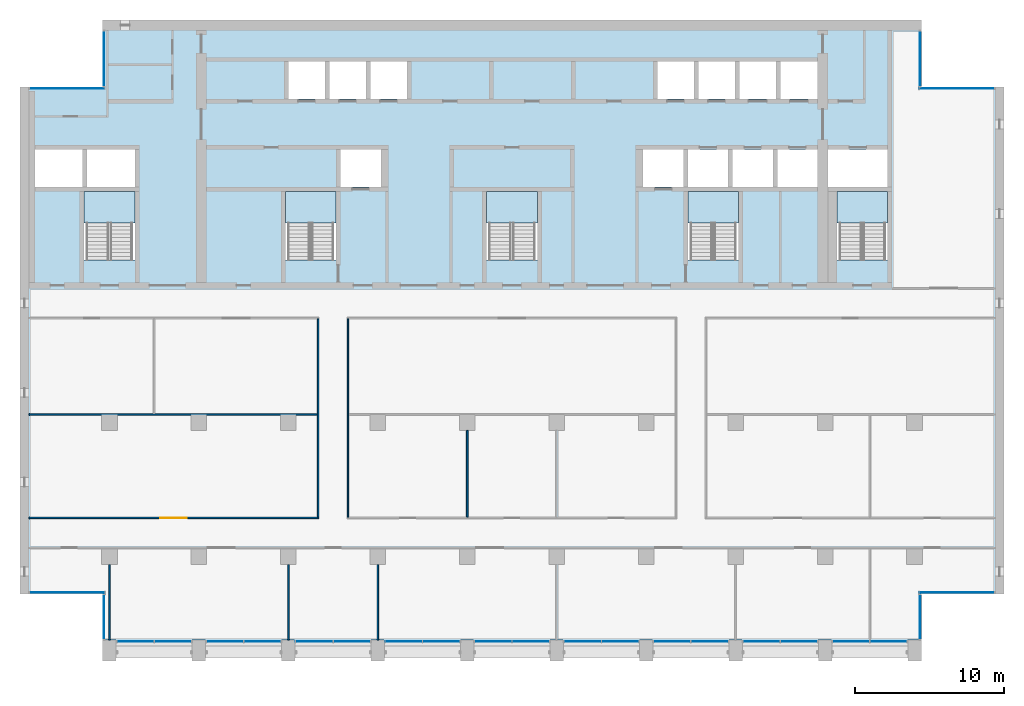
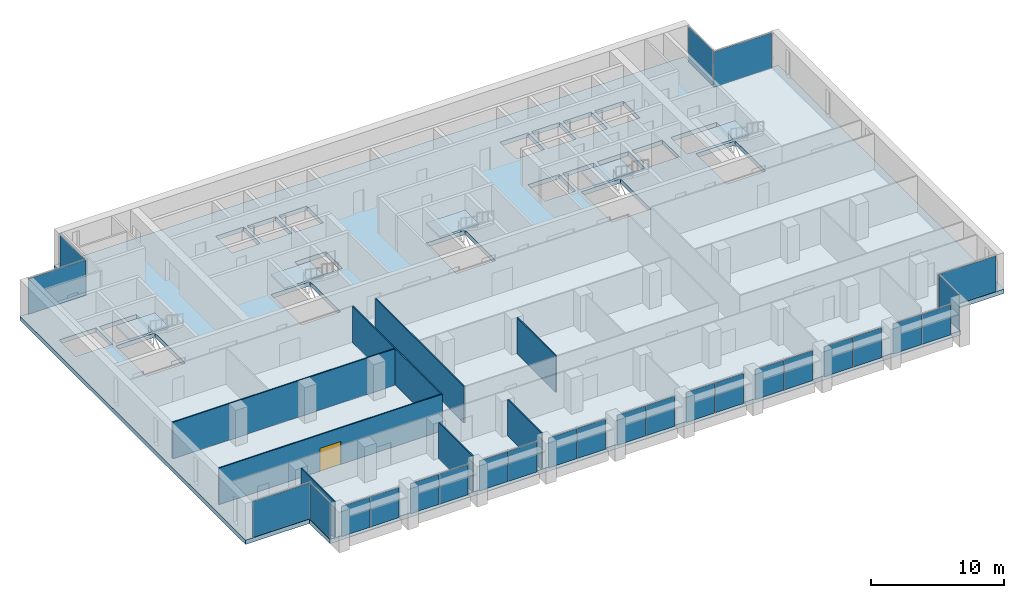
# One storey, part 7 of 17: 26 plates, 8 walls, 6 slabs, 1 door, 1 opening, 22 elements without a shape of their own.
"""IFC4 building model written with IfcOpenShell, lengths in metres."""

from ifc_helpers import new_model, si_unit, direction, frame, frame_2d, origin, origin_2d, place, context, subcontext, project, spatial, polyline, rectangle, outline, extrude, material, layer, layer_set, type_object, element, fill, aggregate, save


model = new_model("IFC4")

# Units and contexts
model_context = context("Model", 3, precision=1e-05, world=origin(), true_north=direction((0.0, 1.0)))
body_context = subcontext(model_context, "Body", "Model", "MODEL_VIEW")
ifc_project = project(units=[si_unit("LENGTHUNIT", "METRE"), si_unit("AREAUNIT", "SQUARE_METRE"), si_unit("VOLUMEUNIT", "CUBIC_METRE"), si_unit("PLANEANGLEUNIT", "RADIAN"), si_unit("MASSUNIT", "GRAM", prefix="KILO")], contexts=[model_context])

# Site, building, storey
site_placement = place(None, origin())
site = spatial("IfcSite", under=ifc_project, at=site_placement, CompositionType="ELEMENT")
building_placement = place(site_placement, origin())
building = spatial("IfcBuilding", under=site, at=building_placement, Name="Calvaro Tower", CompositionType="ELEMENT")
storey_placement = place(building_placement, frame((0.0, 0.0, 200.5)))
storey = spatial("IfcBuildingStorey", under=building, at=storey_placement, Name="L50", CompositionType="ELEMENT", Elevation=200.5)

# Slab
ifc_material_1 = material(Name="Concrete C40/50", Category="concrete")
ifc_layer_1 = layer(ifc_material_1, 0.39990234375)
ifc_layer_set_1 = layer_set([ifc_layer_1], Name="Concrete C40/50")
slab_type_1 = type_object("IfcSlabType", Name="Floor slab 400 C40/50", PredefinedType="FLOOR", material=ifc_layer_set_1)
slab_1_placement = place(storey_placement, frame((0.0, 0.0, -0.39990234375)))
element("IfcSlab", 1, at=slab_1_placement, inside=storey, type_object=slab_type_1, Name="Floor slab", PredefinedType="FLOOR", context=body_context, shape_type="SweptSolid", body=[
    extrude(outline(polyline([(66.449951171875, 7.5), (66.449951171875, 4.39990234375), (11.550048828125, 4.39990234375), (11.550048828125, 7.5), (6.0, 7.5), (6.0, 41.5), (11.550048828125, 41.5), (11.550048828125, 46.0), (66.449951171875, 46.0), (66.449951171875, 41.5), (72.0, 41.5), (72.0, 7.5), (66.449951171875, 7.5)]), holes=[polyline([(10.300048828125, 29.909912109375), (10.300048828125, 34.5), (12.0, 34.5), (13.699951171875, 34.5), (13.699951171875, 29.909912109375), (12.0, 29.909912109375), (10.300048828125, 29.909912109375)]), polyline([(23.800048828125, 29.909912109375), (23.800048828125, 34.5), (25.5, 34.5), (27.199951171875, 34.5), (27.199951171875, 29.909912109375), (25.5, 29.909912109375), (23.800048828125, 29.909912109375)]), polyline([(37.300048828125, 29.909912109375), (37.300048828125, 34.5), (39.0, 34.5), (40.699951171875, 34.5), (40.699951171875, 29.909912109375), (39.0, 29.909912109375), (37.300048828125, 29.909912109375)]), polyline([(50.800048828125, 29.909912109375), (50.800048828125, 34.5), (52.5, 34.5), (54.199951171875, 34.5), (54.199951171875, 29.909912109375), (52.5, 29.909912109375), (50.800048828125, 29.909912109375)]), polyline([(60.800048828125, 29.909912109375), (60.800048828125, 34.5), (62.5, 34.5), (64.199951171875, 34.5), (64.199951171875, 29.909912109375), (62.5, 29.909912109375), (60.800048828125, 29.909912109375)]), polyline([(50.800048828125, 34.800048828125), (53.5, 34.800048828125), (53.5, 37.300048828125), (50.800048828125, 37.300048828125), (50.800048828125, 34.800048828125)]), polyline([(53.800048828125, 34.800048828125), (56.5, 34.800048828125), (56.5, 37.300048828125), (53.800048828125, 37.300048828125), (53.800048828125, 34.800048828125)]), polyline([(56.800048828125, 34.800048828125), (59.5, 34.800048828125), (59.5, 37.300048828125), (56.800048828125, 37.300048828125), (56.800048828125, 34.800048828125)]), polyline([(24.0, 40.699951171875), (26.449951171875, 40.699951171875), (26.449951171875, 43.199951171875), (24.0, 43.199951171875), (24.0, 40.699951171875)]), polyline([(26.75, 40.699951171875), (29.199951171875, 40.699951171875), (29.199951171875, 43.199951171875), (26.75, 43.199951171875), (26.75, 40.699951171875)]), polyline([(29.5, 40.699951171875), (31.949951171875, 40.699951171875), (31.949951171875, 43.199951171875), (29.5, 43.199951171875), (29.5, 40.699951171875)]), polyline([(48.75, 40.699951171875), (51.199951171875, 40.699951171875), (51.199951171875, 43.199951171875), (48.75, 43.199951171875), (48.75, 40.699951171875)]), polyline([(51.5, 40.699951171875), (53.949951171875, 40.699951171875), (53.949951171875, 43.199951171875), (51.5, 43.199951171875), (51.5, 40.699951171875)]), polyline([(54.25, 40.699951171875), (56.699951171875, 40.699951171875), (56.699951171875, 43.199951171875), (54.25, 43.199951171875), (54.25, 40.699951171875)]), polyline([(57.0, 40.699951171875), (59.5, 40.699951171875), (59.5, 43.199951171875), (57.0, 43.199951171875), (57.0, 40.699951171875)]), polyline([(7.0, 34.800048828125), (10.199951171875, 34.800048828125), (10.199951171875, 37.300048828125), (7.0, 37.300048828125), (7.0, 34.800048828125)]), polyline([(10.5, 34.800048828125), (13.699951171875, 34.800048828125), (13.699951171875, 37.300048828125), (10.5, 37.300048828125), (10.5, 34.800048828125)]), polyline([(60.199951171875, 34.800048828125), (64.199951171875, 34.800048828125), (64.199951171875, 37.300048828125), (60.199951171875, 37.300048828125), (60.199951171875, 34.800048828125)]), polyline([(27.5, 34.800048828125), (30.199951171875, 34.800048828125), (30.199951171875, 37.300048828125), (27.5, 37.300048828125), (27.5, 34.800048828125)]), polyline([(47.800048828125, 34.800048828125), (50.5, 34.800048828125), (50.5, 37.300048828125), (47.800048828125, 37.300048828125), (47.800048828125, 34.800048828125)])]), origin(), (0.0, 0.0, 1.0), 0.39990234375),
])

# Curtain wall, plates
ifc_material_2 = material(Name="Anodised aluminium", Category="aluminium")
curtain_wall_type = type_object("IfcCurtainWallType", Name="Office curtain wall, upper zone", PredefinedType="NOTDEFINED", material=ifc_material_2)
curtain_wall_1_placement = place(storey_placement, origin())
curtain_wall_1 = element("IfcCurtainWall", 2, at=curtain_wall_1_placement, inside=storey, type_object=curtain_wall_type, Name="CW3 south curtain wall", PredefinedType="NOTDEFINED")
ifc_material_3 = material(Name="Glass", Category="glass")
ifc_layer_2 = layer(ifc_material_3, 0.035888671875)
ifc_layer_set_2 = layer_set([ifc_layer_2], Name="Glass")
plate_type = type_object("IfcPlateType", Name="Glass panel S3 36", PredefinedType="CURTAIN_PANEL", material=ifc_layer_set_2)
plate_1_placement = place(storey_placement, frame((13.739990234375, 4.31005859375, 0.0), z_axis=(0.0, 0.0, 1.0), x_axis=(1.0, 0.0, 0.0)))
plate_1 = element("IfcPlate", 3, at=plate_1_placement, type_object=plate_type, Name="CW3 glass panel 1.1", PredefinedType="CURTAIN_PANEL", context=body_context, shape_type="SweptSolid", body=[
    extrude(rectangle(XDim=2.4599609375, YDim=0.035888671875, at=origin_2d()), origin(), (0.0, 0.0, 1.0), 2.75),
])
plate_2_placement = place(storey_placement, frame((16.260009765625, 4.31005859375, 0.0), z_axis=(0.0, 0.0, 1.0), x_axis=(1.0, 0.0, 0.0)))
plate_2 = element("IfcPlate", 4, at=plate_2_placement, type_object=plate_type, Name="CW3 glass panel 2.1", PredefinedType="CURTAIN_PANEL", context=body_context, shape_type="SweptSolid", body=[
    extrude(rectangle(XDim=2.4599609375, YDim=0.035888671875, at=origin_2d()), origin(), (0.0, 0.0, 1.0), 2.75),
])
aggregate(curtain_wall_1, [plate_1, plate_2])

curtain_wall_2_placement = place(storey_placement, origin())
curtain_wall_2 = element("IfcCurtainWall", 5, at=curtain_wall_2_placement, inside=storey, type_object=curtain_wall_type, Name="CW3 south curtain wall", PredefinedType="NOTDEFINED")
plate_3_placement = place(storey_placement, frame((19.739990234375, 4.31005859375, 0.0), z_axis=(0.0, 0.0, 1.0), x_axis=(1.0, 0.0, 0.0)))
plate_3 = element("IfcPlate", 6, at=plate_3_placement, type_object=plate_type, Name="CW3 glass panel 1.1", PredefinedType="CURTAIN_PANEL", context=body_context, shape_type="SweptSolid", body=[
    extrude(rectangle(XDim=2.4599609375, YDim=0.035888671875, at=origin_2d()), origin(), (0.0, 0.0, 1.0), 2.75),
])
plate_4_placement = place(storey_placement, frame((22.260009765625, 4.31005859375, 0.0), z_axis=(0.0, 0.0, 1.0), x_axis=(1.0, 0.0, 0.0)))
plate_4 = element("IfcPlate", 7, at=plate_4_placement, type_object=plate_type, Name="CW3 glass panel 2.1", PredefinedType="CURTAIN_PANEL", context=body_context, shape_type="SweptSolid", body=[
    extrude(rectangle(XDim=2.4599609375, YDim=0.035888671875, at=origin_2d()), origin(), (0.0, 0.0, 1.0), 2.75),
])
aggregate(curtain_wall_2, [plate_3, plate_4])

curtain_wall_3_placement = place(storey_placement, origin())
curtain_wall_3 = element("IfcCurtainWall", 8, at=curtain_wall_3_placement, inside=storey, type_object=curtain_wall_type, Name="CW3 south curtain wall", PredefinedType="NOTDEFINED")
plate_5_placement = place(storey_placement, frame((25.739990234375, 4.31005859375, 0.0), z_axis=(0.0, 0.0, 1.0), x_axis=(1.0, 0.0, 0.0)))
plate_5 = element("IfcPlate", 9, at=plate_5_placement, type_object=plate_type, Name="CW3 glass panel 1.1", PredefinedType="CURTAIN_PANEL", context=body_context, shape_type="SweptSolid", body=[
    extrude(rectangle(XDim=2.4599609375, YDim=0.035888671875, at=origin_2d()), origin(), (0.0, 0.0, 1.0), 2.75),
])
plate_6_placement = place(storey_placement, frame((28.260009765625, 4.31005859375, 0.0), z_axis=(0.0, 0.0, 1.0), x_axis=(1.0, 0.0, 0.0)))
plate_6 = element("IfcPlate", 10, at=plate_6_placement, type_object=plate_type, Name="CW3 glass panel 2.1", PredefinedType="CURTAIN_PANEL", context=body_context, shape_type="SweptSolid", body=[
    extrude(rectangle(XDim=2.4599609375, YDim=0.035888671875, at=origin_2d()), origin(), (0.0, 0.0, 1.0), 2.75),
])
aggregate(curtain_wall_3, [plate_5, plate_6])

curtain_wall_4_placement = place(storey_placement, origin())
curtain_wall_4 = element("IfcCurtainWall", 11, at=curtain_wall_4_placement, inside=storey, type_object=curtain_wall_type, Name="CW3 south curtain wall", PredefinedType="NOTDEFINED")
plate_7_placement = place(storey_placement, frame((31.739990234375, 4.31005859375, 0.0), z_axis=(0.0, 0.0, 1.0), x_axis=(1.0, 0.0, 0.0)))
plate_7 = element("IfcPlate", 12, at=plate_7_placement, type_object=plate_type, Name="CW3 glass panel 1.1", PredefinedType="CURTAIN_PANEL", context=body_context, shape_type="SweptSolid", body=[
    extrude(rectangle(XDim=2.4599609375, YDim=0.035888671875, at=origin_2d()), origin(), (0.0, 0.0, 1.0), 2.75),
])
plate_8_placement = place(storey_placement, frame((34.260009765625, 4.31005859375, 0.0), z_axis=(0.0, 0.0, 1.0), x_axis=(1.0, 0.0, 0.0)))
plate_8 = element("IfcPlate", 13, at=plate_8_placement, type_object=plate_type, Name="CW3 glass panel 2.1", PredefinedType="CURTAIN_PANEL", context=body_context, shape_type="SweptSolid", body=[
    extrude(rectangle(XDim=2.4599609375, YDim=0.035888671875, at=origin_2d()), origin(), (0.0, 0.0, 1.0), 2.75),
])
aggregate(curtain_wall_4, [plate_7, plate_8])

curtain_wall_5_placement = place(storey_placement, origin())
curtain_wall_5 = element("IfcCurtainWall", 14, at=curtain_wall_5_placement, inside=storey, type_object=curtain_wall_type, Name="CW3 south curtain wall", PredefinedType="NOTDEFINED")
plate_9_placement = place(storey_placement, frame((37.739990234375, 4.31005859375, 0.0), z_axis=(0.0, 0.0, 1.0), x_axis=(1.0, 0.0, 0.0)))
plate_9 = element("IfcPlate", 15, at=plate_9_placement, type_object=plate_type, Name="CW3 glass panel 1.1", PredefinedType="CURTAIN_PANEL", context=body_context, shape_type="SweptSolid", body=[
    extrude(rectangle(XDim=2.4599609375, YDim=0.035888671875, at=origin_2d()), origin(), (0.0, 0.0, 1.0), 2.75),
])
plate_10_placement = place(storey_placement, frame((40.260009765625, 4.31005859375, 0.0), z_axis=(0.0, 0.0, 1.0), x_axis=(1.0, 0.0, 0.0)))
plate_10 = element("IfcPlate", 16, at=plate_10_placement, type_object=plate_type, Name="CW3 glass panel 2.1", PredefinedType="CURTAIN_PANEL", context=body_context, shape_type="SweptSolid", body=[
    extrude(rectangle(XDim=2.4599609375, YDim=0.035888671875, at=origin_2d()), origin(), (0.0, 0.0, 1.0), 2.75),
])
aggregate(curtain_wall_5, [plate_9, plate_10])

curtain_wall_6_placement = place(storey_placement, origin())
curtain_wall_6 = element("IfcCurtainWall", 17, at=curtain_wall_6_placement, inside=storey, type_object=curtain_wall_type, Name="CW3 south curtain wall", PredefinedType="NOTDEFINED")
plate_11_placement = place(storey_placement, frame((43.739990234375, 4.31005859375, 0.0), z_axis=(0.0, 0.0, 1.0), x_axis=(1.0, 0.0, 0.0)))
plate_11 = element("IfcPlate", 18, at=plate_11_placement, type_object=plate_type, Name="CW3 glass panel 1.1", PredefinedType="CURTAIN_PANEL", context=body_context, shape_type="SweptSolid", body=[
    extrude(rectangle(XDim=2.4599609375, YDim=0.035888671875, at=origin_2d()), origin(), (0.0, 0.0, 1.0), 2.75),
])
plate_12_placement = place(storey_placement, frame((46.260009765625, 4.31005859375, 0.0), z_axis=(0.0, 0.0, 1.0), x_axis=(1.0, 0.0, 0.0)))
plate_12 = element("IfcPlate", 19, at=plate_12_placement, type_object=plate_type, Name="CW3 glass panel 2.1", PredefinedType="CURTAIN_PANEL", context=body_context, shape_type="SweptSolid", body=[
    extrude(rectangle(XDim=2.4599609375, YDim=0.035888671875, at=origin_2d()), origin(), (0.0, 0.0, 1.0), 2.75),
])
aggregate(curtain_wall_6, [plate_11, plate_12])

curtain_wall_7_placement = place(storey_placement, origin())
curtain_wall_7 = element("IfcCurtainWall", 20, at=curtain_wall_7_placement, inside=storey, type_object=curtain_wall_type, Name="CW3 south curtain wall", PredefinedType="NOTDEFINED")
plate_13_placement = place(storey_placement, frame((49.739990234375, 4.31005859375, 0.0), z_axis=(0.0, 0.0, 1.0), x_axis=(1.0, 0.0, 0.0)))
plate_13 = element("IfcPlate", 21, at=plate_13_placement, type_object=plate_type, Name="CW3 glass panel 1.1", PredefinedType="CURTAIN_PANEL", context=body_context, shape_type="SweptSolid", body=[
    extrude(rectangle(XDim=2.4599609375, YDim=0.035888671875, at=origin_2d()), origin(), (0.0, 0.0, 1.0), 2.75),
])
plate_14_placement = place(storey_placement, frame((52.260009765625, 4.31005859375, 0.0), z_axis=(0.0, 0.0, 1.0), x_axis=(1.0, 0.0, 0.0)))
plate_14 = element("IfcPlate", 22, at=plate_14_placement, type_object=plate_type, Name="CW3 glass panel 2.1", PredefinedType="CURTAIN_PANEL", context=body_context, shape_type="SweptSolid", body=[
    extrude(rectangle(XDim=2.4599609375, YDim=0.035888671875, at=origin_2d()), origin(), (0.0, 0.0, 1.0), 2.75),
])
aggregate(curtain_wall_7, [plate_13, plate_14])

curtain_wall_8_placement = place(storey_placement, origin())
curtain_wall_8 = element("IfcCurtainWall", 23, at=curtain_wall_8_placement, inside=storey, type_object=curtain_wall_type, Name="CW3 south curtain wall", PredefinedType="NOTDEFINED")
plate_15_placement = place(storey_placement, frame((55.739990234375, 4.31005859375, 0.0), z_axis=(0.0, 0.0, 1.0), x_axis=(1.0, 0.0, 0.0)))
plate_15 = element("IfcPlate", 24, at=plate_15_placement, type_object=plate_type, Name="CW3 glass panel 1.1", PredefinedType="CURTAIN_PANEL", context=body_context, shape_type="SweptSolid", body=[
    extrude(rectangle(XDim=2.4599609375, YDim=0.035888671875, at=origin_2d()), origin(), (0.0, 0.0, 1.0), 2.75),
])
plate_16_placement = place(storey_placement, frame((58.260009765625, 4.31005859375, 0.0), z_axis=(0.0, 0.0, 1.0), x_axis=(1.0, 0.0, 0.0)))
plate_16 = element("IfcPlate", 25, at=plate_16_placement, type_object=plate_type, Name="CW3 glass panel 2.1", PredefinedType="CURTAIN_PANEL", context=body_context, shape_type="SweptSolid", body=[
    extrude(rectangle(XDim=2.4599609375, YDim=0.035888671875, at=origin_2d()), origin(), (0.0, 0.0, 1.0), 2.75),
])
aggregate(curtain_wall_8, [plate_15, plate_16])

curtain_wall_9_placement = place(storey_placement, origin())
curtain_wall_9 = element("IfcCurtainWall", 26, at=curtain_wall_9_placement, inside=storey, type_object=curtain_wall_type, Name="CW3 south curtain wall", PredefinedType="NOTDEFINED")
plate_17_placement = place(storey_placement, frame((61.739990234375, 4.31005859375, 0.0), z_axis=(0.0, 0.0, 1.0), x_axis=(1.0, 0.0, 0.0)))
plate_17 = element("IfcPlate", 27, at=plate_17_placement, type_object=plate_type, Name="CW3 glass panel 1.1", PredefinedType="CURTAIN_PANEL", context=body_context, shape_type="SweptSolid", body=[
    extrude(rectangle(XDim=2.4599609375, YDim=0.035888671875, at=origin_2d()), origin(), (0.0, 0.0, 1.0), 2.75),
])
plate_18_placement = place(storey_placement, frame((64.260009765625, 4.31005859375, 0.0), z_axis=(0.0, 0.0, 1.0), x_axis=(1.0, 0.0, 0.0)))
plate_18 = element("IfcPlate", 28, at=plate_18_placement, type_object=plate_type, Name="CW3 glass panel 2.1", PredefinedType="CURTAIN_PANEL", context=body_context, shape_type="SweptSolid", body=[
    extrude(rectangle(XDim=2.4599609375, YDim=0.035888671875, at=origin_2d()), origin(), (0.0, 0.0, 1.0), 2.75),
])
aggregate(curtain_wall_9, [plate_17, plate_18])

# Curtain wall, plate
curtain_wall_10_placement = place(storey_placement, origin())
curtain_wall_10 = element("IfcCurtainWall", 29, at=curtain_wall_10_placement, inside=storey, type_object=curtain_wall_type, Name="CW3 corner curtain wall", PredefinedType="NOTDEFINED")
plate_19_placement = place(storey_placement, frame((11.639892578125, 5.949951171875, 0.0), z_axis=(0.0, 0.0, 1.0), x_axis=(0.0, 1.0, 0.0)))
plate_19 = element("IfcPlate", 30, at=plate_19_placement, type_object=plate_type, Name="CW3 glass panel 1.1", PredefinedType="CURTAIN_PANEL", context=body_context, shape_type="SweptSolid", body=[
    extrude(rectangle(XDim=2.97998046875, YDim=0.035888671875, at=origin_2d()), origin(), (0.0, 0.0, 1.0), 3.25),
])
aggregate(curtain_wall_10, [plate_19])

curtain_wall_11_placement = place(storey_placement, origin())
curtain_wall_11 = element("IfcCurtainWall", 31, at=curtain_wall_11_placement, inside=storey, type_object=curtain_wall_type, Name="CW3 corner curtain wall", PredefinedType="NOTDEFINED")
plate_20_placement = place(storey_placement, frame((9.1650390625, 7.590087890625, 0.0), z_axis=(0.0, 0.0, 1.0), x_axis=(1.0, 0.0, 0.0)))
plate_20 = element("IfcPlate", 32, at=plate_20_placement, type_object=plate_type, Name="CW3 glass panel 1.1", PredefinedType="CURTAIN_PANEL", context=body_context, shape_type="SweptSolid", body=[
    extrude(rectangle(XDim=5.010009765625, YDim=0.035888671875, at=origin_2d()), origin(), (0.0, 0.0, 1.0), 3.25),
])
aggregate(curtain_wall_11, [plate_20])

curtain_wall_12_placement = place(storey_placement, origin())
curtain_wall_12 = element("IfcCurtainWall", 33, at=curtain_wall_12_placement, inside=storey, type_object=curtain_wall_type, Name="CW3 corner curtain wall", PredefinedType="NOTDEFINED")
plate_21_placement = place(storey_placement, frame((11.639892578125, 43.39990234375, 0.0), z_axis=(0.0, 0.0, 1.0), x_axis=(0.0, 1.0, 0.0)))
plate_21 = element("IfcPlate", 34, at=plate_21_placement, type_object=plate_type, Name="CW3 glass panel 1.1", PredefinedType="CURTAIN_PANEL", context=body_context, shape_type="SweptSolid", body=[
    extrude(rectangle(XDim=3.679931640625, YDim=0.035888671875, at=origin_2d()), origin(), (0.0, 0.0, 1.0), 3.25),
])
aggregate(curtain_wall_12, [plate_21])

curtain_wall_13_placement = place(storey_placement, origin())
curtain_wall_13 = element("IfcCurtainWall", 35, at=curtain_wall_13_placement, inside=storey, type_object=curtain_wall_type, Name="CW3 corner curtain wall", PredefinedType="NOTDEFINED")
plate_22_placement = place(storey_placement, frame((9.1650390625, 41.409912109375, 0.0), z_axis=(0.0, 0.0, 1.0), x_axis=(1.0, 0.0, 0.0)))
plate_22 = element("IfcPlate", 36, at=plate_22_placement, type_object=plate_type, Name="CW3 glass panel 1.1", PredefinedType="CURTAIN_PANEL", context=body_context, shape_type="SweptSolid", body=[
    extrude(rectangle(XDim=5.010009765625, YDim=0.035888671875, at=origin_2d()), origin(), (0.0, 0.0, 1.0), 3.25),
])
aggregate(curtain_wall_13, [plate_22])

curtain_wall_14_placement = place(storey_placement, origin())
curtain_wall_14 = element("IfcCurtainWall", 37, at=curtain_wall_14_placement, inside=storey, type_object=curtain_wall_type, Name="CW3 corner curtain wall", PredefinedType="NOTDEFINED")
plate_23_placement = place(storey_placement, frame((66.360107421875, 5.949951171875, 0.0), z_axis=(0.0, 0.0, 1.0), x_axis=(0.0, 1.0, 0.0)))
plate_23 = element("IfcPlate", 38, at=plate_23_placement, type_object=plate_type, Name="CW3 glass panel 1.1", PredefinedType="CURTAIN_PANEL", context=body_context, shape_type="SweptSolid", body=[
    extrude(rectangle(XDim=2.97998046875, YDim=0.035888671875, at=origin_2d()), origin(), (0.0, 0.0, 1.0), 3.25),
])
aggregate(curtain_wall_14, [plate_23])

curtain_wall_15_placement = place(storey_placement, origin())
curtain_wall_15 = element("IfcCurtainWall", 39, at=curtain_wall_15_placement, inside=storey, type_object=curtain_wall_type, Name="CW3 corner curtain wall", PredefinedType="NOTDEFINED")
plate_24_placement = place(storey_placement, frame((68.8349609375, 7.590087890625, 0.0), z_axis=(0.0, 0.0, 1.0), x_axis=(1.0, 0.0, 0.0)))
plate_24 = element("IfcPlate", 40, at=plate_24_placement, type_object=plate_type, Name="CW3 glass panel 1.1", PredefinedType="CURTAIN_PANEL", context=body_context, shape_type="SweptSolid", body=[
    extrude(rectangle(XDim=5.010009765625, YDim=0.035888671875, at=origin_2d()), origin(), (0.0, 0.0, 1.0), 3.25),
])
aggregate(curtain_wall_15, [plate_24])

curtain_wall_16_placement = place(storey_placement, origin())
curtain_wall_16 = element("IfcCurtainWall", 41, at=curtain_wall_16_placement, inside=storey, type_object=curtain_wall_type, Name="CW3 corner curtain wall", PredefinedType="NOTDEFINED")
plate_25_placement = place(storey_placement, frame((66.360107421875, 43.39990234375, 0.0), z_axis=(0.0, 0.0, 1.0), x_axis=(0.0, 1.0, 0.0)))
plate_25 = element("IfcPlate", 42, at=plate_25_placement, type_object=plate_type, Name="CW3 glass panel 1.1", PredefinedType="CURTAIN_PANEL", context=body_context, shape_type="SweptSolid", body=[
    extrude(rectangle(XDim=3.679931640625, YDim=0.035888671875, at=origin_2d()), origin(), (0.0, 0.0, 1.0), 3.25),
])
aggregate(curtain_wall_16, [plate_25])

curtain_wall_17_placement = place(storey_placement, origin())
curtain_wall_17 = element("IfcCurtainWall", 43, at=curtain_wall_17_placement, inside=storey, type_object=curtain_wall_type, Name="CW3 corner curtain wall", PredefinedType="NOTDEFINED")
plate_26_placement = place(storey_placement, frame((68.8349609375, 41.409912109375, 0.0), z_axis=(0.0, 0.0, 1.0), x_axis=(1.0, 0.0, 0.0)))
plate_26 = element("IfcPlate", 44, at=plate_26_placement, type_object=plate_type, Name="CW3 glass panel 1.1", PredefinedType="CURTAIN_PANEL", context=body_context, shape_type="SweptSolid", body=[
    extrude(rectangle(XDim=5.010009765625, YDim=0.035888671875, at=origin_2d()), origin(), (0.0, 0.0, 1.0), 3.25),
])
aggregate(curtain_wall_17, [plate_26])

# Stair, slab
ifc_material_4 = material(Name="Concrete C40/50", Category="concrete")
stair_type = type_object("IfcStairType", Name="Exit stair 1400 2 flights", PredefinedType="HALF_TURN_STAIR", material=ifc_material_4)
stair_1_placement = place(storey_placement, origin())
stair_1 = element("IfcStair", 45, at=stair_1_placement, inside=storey, type_object=stair_type, Name="Exit stair S1", PredefinedType="HALF_TURN_STAIR")
ifc_material_5 = material(Name="Concrete C40/50", Category="concrete")
ifc_layer_3 = layer(ifc_material_5, 0.199951171875)
ifc_layer_set_3 = layer_set([ifc_layer_3], Name="Concrete C40/50")
slab_type_2 = type_object("IfcSlabType", Name="Stair landing", PredefinedType="LANDING", material=ifc_layer_set_3)
slab_2_placement = place(storey_placement, frame((0.0, 0.0, 1.675048828125)))
slab_2 = element("IfcSlab", 46, at=slab_2_placement, type_object=slab_type_2, Name="Exit stair 1, landing 1", PredefinedType="LANDING", context=body_context, shape_type="SweptSolid", body=[
    extrude(outline(polyline([(11.89990234375, 32.389892578125), (10.5, 32.389892578125), (10.5, 32.39990234375), (10.300048828125, 32.39990234375), (10.300048828125, 34.5), (10.5, 34.5), (11.89990234375, 34.5), (12.10009765625, 34.5), (13.5, 34.5), (13.699951171875, 34.5), (13.699951171875, 32.39990234375), (13.5, 32.39990234375), (13.5, 32.389892578125), (12.10009765625, 32.389892578125), (12.10009765625, 32.39990234375), (11.89990234375, 32.39990234375), (11.89990234375, 32.389892578125)])), origin(), (0.0, 0.0, 1.0), 0.199951171875),
])
aggregate(stair_1, [slab_2])

stair_2_placement = place(storey_placement, origin())
stair_2 = element("IfcStair", 47, at=stair_2_placement, inside=storey, type_object=stair_type, Name="Exit stair S2", PredefinedType="HALF_TURN_STAIR")
slab_3_placement = place(storey_placement, frame((0.0, 0.0, 1.675048828125)))
slab_3 = element("IfcSlab", 48, at=slab_3_placement, type_object=slab_type_2, Name="Exit stair 2, landing 1", PredefinedType="LANDING", context=body_context, shape_type="SweptSolid", body=[
    extrude(outline(polyline([(25.39990234375, 32.389892578125), (24.0, 32.389892578125), (24.0, 32.39990234375), (23.800048828125, 32.39990234375), (23.800048828125, 34.5), (24.0, 34.5), (25.39990234375, 34.5), (25.60009765625, 34.5), (27.0, 34.5), (27.199951171875, 34.5), (27.199951171875, 32.39990234375), (27.0, 32.39990234375), (27.0, 32.389892578125), (25.60009765625, 32.389892578125), (25.60009765625, 32.39990234375), (25.39990234375, 32.39990234375), (25.39990234375, 32.389892578125)])), origin(), (0.0, 0.0, 1.0), 0.199951171875),
])
aggregate(stair_2, [slab_3])

stair_3_placement = place(storey_placement, origin())
stair_3 = element("IfcStair", 49, at=stair_3_placement, inside=storey, type_object=stair_type, Name="Exit stair S3", PredefinedType="HALF_TURN_STAIR")
slab_4_placement = place(storey_placement, frame((0.0, 0.0, 1.675048828125)))
slab_4 = element("IfcSlab", 50, at=slab_4_placement, type_object=slab_type_2, Name="Exit stair 3, landing 1", PredefinedType="LANDING", context=body_context, shape_type="SweptSolid", body=[
    extrude(outline(polyline([(38.89990234375, 32.389892578125), (37.5, 32.389892578125), (37.5, 32.39990234375), (37.300048828125, 32.39990234375), (37.300048828125, 34.5), (37.5, 34.5), (38.89990234375, 34.5), (39.10009765625, 34.5), (40.5, 34.5), (40.699951171875, 34.5), (40.699951171875, 32.39990234375), (40.5, 32.39990234375), (40.5, 32.389892578125), (39.10009765625, 32.389892578125), (39.10009765625, 32.39990234375), (38.89990234375, 32.39990234375), (38.89990234375, 32.389892578125)])), origin(), (0.0, 0.0, 1.0), 0.199951171875),
])
aggregate(stair_3, [slab_4])

stair_4_placement = place(storey_placement, origin())
stair_4 = element("IfcStair", 51, at=stair_4_placement, inside=storey, type_object=stair_type, Name="Exit stair S4", PredefinedType="HALF_TURN_STAIR")
slab_5_placement = place(storey_placement, frame((0.0, 0.0, 1.675048828125)))
slab_5 = element("IfcSlab", 52, at=slab_5_placement, type_object=slab_type_2, Name="Exit stair 4, landing 1", PredefinedType="LANDING", context=body_context, shape_type="SweptSolid", body=[
    extrude(outline(polyline([(52.39990234375, 32.389892578125), (51.0, 32.389892578125), (51.0, 32.39990234375), (50.800048828125, 32.39990234375), (50.800048828125, 34.5), (51.0, 34.5), (52.39990234375, 34.5), (52.60009765625, 34.5), (54.0, 34.5), (54.199951171875, 34.5), (54.199951171875, 32.39990234375), (54.0, 32.39990234375), (54.0, 32.389892578125), (52.60009765625, 32.389892578125), (52.60009765625, 32.39990234375), (52.39990234375, 32.39990234375), (52.39990234375, 32.389892578125)])), origin(), (0.0, 0.0, 1.0), 0.199951171875),
])
aggregate(stair_4, [slab_5])

stair_5_placement = place(storey_placement, origin())
stair_5 = element("IfcStair", 53, at=stair_5_placement, inside=storey, type_object=stair_type, Name="Exit stair S5", PredefinedType="HALF_TURN_STAIR")
slab_6_placement = place(storey_placement, frame((0.0, 0.0, 1.675048828125)))
slab_6 = element("IfcSlab", 54, at=slab_6_placement, type_object=slab_type_2, Name="Exit stair 5, landing 1", PredefinedType="LANDING", context=body_context, shape_type="SweptSolid", body=[
    extrude(outline(polyline([(62.39990234375, 32.389892578125), (61.0, 32.389892578125), (61.0, 32.39990234375), (60.800048828125, 32.39990234375), (60.800048828125, 34.5), (61.0, 34.5), (62.39990234375, 34.5), (62.60009765625, 34.5), (64.0, 34.5), (64.199951171875, 34.5), (64.199951171875, 32.39990234375), (64.0, 32.39990234375), (64.0, 32.389892578125), (62.60009765625, 32.389892578125), (62.60009765625, 32.39990234375), (62.39990234375, 32.39990234375), (62.39990234375, 32.389892578125)])), origin(), (0.0, 0.0, 1.0), 0.199951171875),
])
aggregate(stair_5, [slab_6])

# Wall, opening, door
ifc_material_6 = material(Name="Plasterboard on steel studs", Category="steel")
ifc_layer_4 = layer(ifc_material_6, 0.10009765625)
ifc_layer_set_4 = layer_set([ifc_layer_4], Name="Plasterboard on steel studs")
wall_type = type_object("IfcWallType", Name="Partition 100", PredefinedType="PARTITIONING", material=ifc_layer_set_4)
wall_1_placement = place(storey_placement, frame((6.60009765625, 12.60009765625, 0.0), z_axis=(0.0, 0.0, 1.0), x_axis=(1.0, 0.0, 0.0)))
wall_1 = element("IfcWall", 55, at=wall_1_placement, inside=storey, type_object=wall_type, Name="Partition T29.W002", PredefinedType="PARTITIONING", context=body_context, shape_type="SweptSolid", body=[
    extrude(rectangle(XDim=19.449951171875, YDim=0.10009765625, at=frame_2d((9.72509765625, 0.0))), origin(), (0.0, 0.0, 1.0), 3.35009765625),
])
opening_placement = place(wall_1_placement, frame((8.800048828125, 0.0, 0.0)))
opening = element("IfcOpeningElement", 56, at=opening_placement, cuts=wall_1, Name="Opening T29.008", PredefinedType="OPENING", context=body_context, shape_type="SweptSolid", body=[
    extrude(rectangle(XDim=1.800048828125, YDim=2.10009765625, at=frame_2d((0.89990234375, 1.050048828125))), frame((0.0, 0.06005859375, 0.0), z_axis=(0.0, -1.0, 0.0), x_axis=(1.0, 0.0, 0.0)), (0.0, 0.0, 1.0), 0.1201171875),
])
ifc_material_7 = material(Name="Timber", Category="wood")
door_type = type_object("IfcDoorType", Name="Internal double door 1800 x 2100", OperationType="DOUBLE_DOOR_SINGLE_SWING", PredefinedType="DOOR", material=ifc_material_7)
door_placement = place(opening_placement, origin())
door = element("IfcDoor", 57, at=door_placement, inside=storey, type_object=door_type, Name="Door T29.008", OperationType="DOUBLE_DOOR_SINGLE_SWING", OverallHeight=2.10009765625, OverallWidth=1.800048828125, PredefinedType="DOOR", context=body_context, shape_type="SweptSolid", body=[
    extrude(rectangle(XDim=1.800048828125, YDim=2.10009765625, at=frame_2d((0.89990234375, 1.050048828125))), frame((0.0, 0.02490234375, 0.0), z_axis=(0.0, -1.0, 0.0), x_axis=(1.0, 0.0, 0.0)), (0.0, 0.0, 1.0), 0.050048828125),
])
fill(opening, door)

# Walls
wall_2_placement = place(storey_placement, frame((6.60009765625, 19.550048828125, 0.0), z_axis=(0.0, 0.0, 1.0), x_axis=(1.0, 0.0, 0.0)))
element("IfcWall", 58, at=wall_2_placement, inside=storey, type_object=wall_type, Name="Partition T29.W005", PredefinedType="PARTITIONING", context=body_context, shape_type="SweptSolid", body=[
    extrude(rectangle(XDim=19.349853515625, YDim=0.10009765625, at=frame_2d((9.6748046875, 0.0))), origin(), (0.0, 0.0, 1.0), 3.35009765625),
])
for number, where, z_axis, x_axis, name in (
    (59, (12.0, 4.39990234375, 0.0), (0.0, 0.0, 1.0), (0.0, 1.0, 0.0), "Partition T29.W012"),
    (60, (24.0, 4.39990234375, 0.0), (0.0, 0.0, 1.0), (0.0, 1.0, 0.0), "Partition T29.W014"),
):
    element("IfcWall", number, at=place(storey_placement, frame(where, z_axis=z_axis, x_axis=x_axis)), inside=storey, type_object=wall_type, Name=name, PredefinedType="PARTITIONING", context=body_context, shape_type="SweptSolid", body=[
        extrude(rectangle(XDim=5.0751953125, YDim=0.10009765625, at=frame_2d((2.53759765625, 0.0))), origin(), (0.0, 0.0, 1.0), 3.35009765625),
    ])
for number, where, z_axis, x_axis, name in (
    (61, (26.0, 12.64990234375, 0.0), (0.0, 0.0, 1.0), (0.0, 1.0, 0.0), "Partition T29.W015"),
    (62, (28.0, 12.64990234375, 0.0), (0.0, 0.0, 1.0), (0.0, 1.0, 0.0), "Partition T29.W016"),
):
    element("IfcWall", number, at=place(storey_placement, frame(where, z_axis=z_axis, x_axis=x_axis)), inside=storey, type_object=wall_type, Name=name, PredefinedType="PARTITIONING", context=body_context, shape_type="SweptSolid", body=[
        extrude(rectangle(XDim=13.300048828125, YDim=0.10009765625, at=frame_2d((6.64990234375, 0.0))), origin(), (0.0, 0.0, 1.0), 3.35009765625),
    ])
wall_3_placement = place(storey_placement, frame((30.0, 4.39990234375, 0.0), z_axis=(0.0, 0.0, 1.0), x_axis=(0.0, 1.0, 0.0)))
element("IfcWall", 63, at=wall_3_placement, inside=storey, type_object=wall_type, Name="Partition T29.W017", PredefinedType="PARTITIONING", context=body_context, shape_type="SweptSolid", body=[
    extrude(rectangle(XDim=5.0751953125, YDim=0.10009765625, at=frame_2d((2.53759765625, 0.0))), origin(), (0.0, 0.0, 1.0), 3.35009765625),
])
wall_4_placement = place(storey_placement, frame((36.0, 12.64990234375, 0.0), z_axis=(0.0, 0.0, 1.0), x_axis=(0.0, 1.0, 0.0)))
element("IfcWall", 64, at=wall_4_placement, inside=storey, type_object=wall_type, Name="Partition T29.W018", PredefinedType="PARTITIONING", context=body_context, shape_type="SweptSolid", body=[
    extrude(rectangle(XDim=5.8251953125, YDim=0.10009765625, at=frame_2d((2.91259765625, 0.0))), origin(), (0.0, 0.0, 1.0), 3.35009765625),
])

save(model, "model.ifc")
